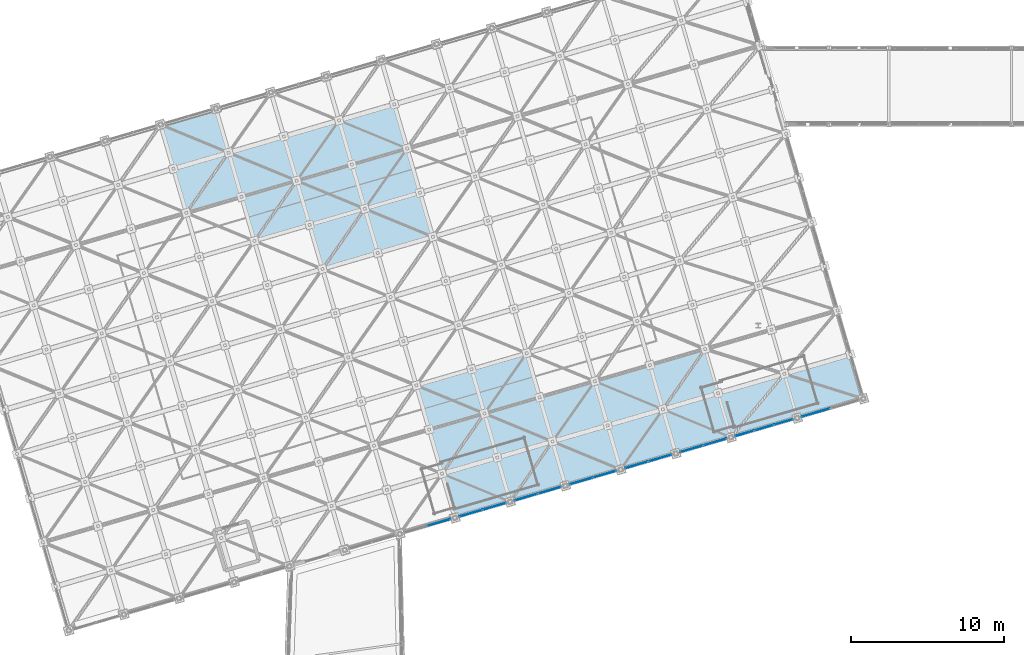
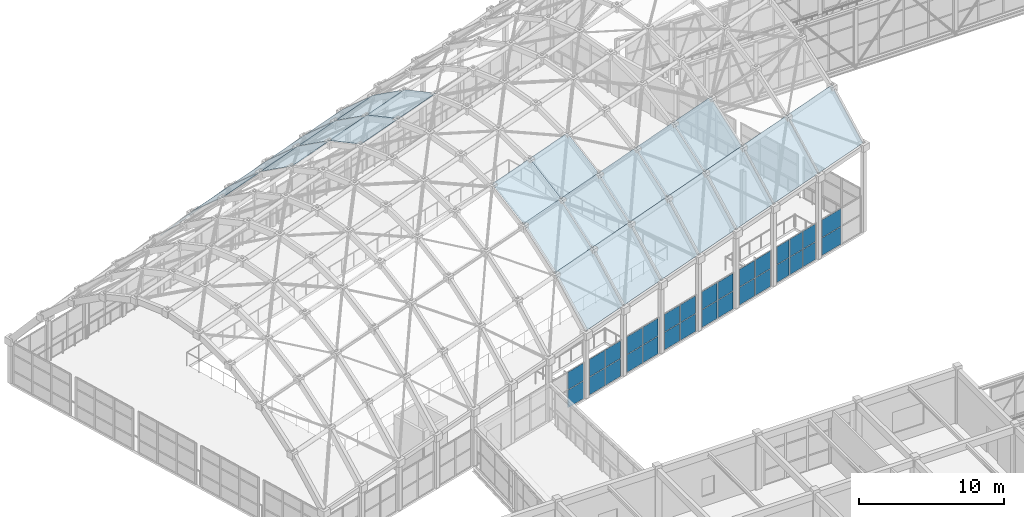
# One storey, part 202 of 248: 54 plates, 8 elements without a shape of their own.
"""IFC4 building model written with IfcOpenShell, lengths in metres."""

from ifc_helpers import new_model, si_unit, direction, frame, origin, origin_2d, place, context, subcontext, project, spatial, polyline, rectangle, outline, extrude, material, layer, layer_set, type_object, element, aggregate, save


model = new_model("IFC4")

# Units and contexts
model_context = context("Model", 3, precision=1e-05, world=origin(), true_north=direction((0.0, 1.0)))
body_context = subcontext(model_context, "Body", "Model", "MODEL_VIEW")
ifc_project = project(units=[si_unit("LENGTHUNIT", "METRE"), si_unit("AREAUNIT", "SQUARE_METRE"), si_unit("VOLUMEUNIT", "CUBIC_METRE"), si_unit("PLANEANGLEUNIT", "RADIAN"), si_unit("MASSUNIT", "GRAM", prefix="KILO")], contexts=[model_context])

# Site, building, storey
site_placement = place(None, origin())
site = spatial("IfcSite", under=ifc_project, at=site_placement, CompositionType="ELEMENT")
building_placement = place(site_placement, origin())
building = spatial("IfcBuilding", under=site, at=building_placement, Name="Canggui Botanical Conservatory", CompositionType="ELEMENT")
storey_placement = place(building_placement, frame((0.0, 0.0, 5.39990234375)))
storey = spatial("IfcBuildingStorey", under=building, at=storey_placement, Name="L02", CompositionType="ELEMENT", Elevation=5.39990234375)

# Curtain wall, plates
ifc_material_1 = material(Name="Thermally Broken Aluminium", Category="aluminium")
ifc_layer_1 = layer(ifc_material_1, 0.135009765625, Name="Thermally Broken Aluminium", Category="aluminium")
ifc_layer_set_1 = layer_set([ifc_layer_1], Name="Thermally Broken Aluminium")
curtain_wall_type = type_object("IfcCurtainWallType", Name="CW-STICK-A", PredefinedType="USERDEFINED", material=ifc_layer_set_1)
curtain_wall_1_placement = place(storey_placement, origin())
curtain_wall_1 = element("IfcCurtainWall", 1, at=curtain_wall_1_placement, inside=storey, type_object=curtain_wall_type, Name="Facade Curtain Wall CW-CONS-L02-V0-07", ObjectType="STICK GLAZED WALL", PredefinedType="USERDEFINED")
ifc_material_2 = material(Name="Low-E Insulated Glass", Category="glass")
ifc_layer_2 = layer(ifc_material_2, 0.0380859375, Name="Low-E Insulated Glass", Category="glass")
ifc_layer_set_2 = layer_set([ifc_layer_2], Name="Low-E Insulated Glass")
plate_type_1 = type_object("IfcPlateType", Name="CWP-04", PredefinedType="CURTAIN_PANEL", material=ifc_layer_set_2)
plate_1_placement = place(storey_placement, frame((44.16552734375, 49.04833984375, 0.050048828125), z_axis=(0.0, 0.0, 1.0), x_axis=(-0.960000000002, -0.279999999995, 0.0)))
plate_1 = element("IfcPlate", 2, at=plate_1_placement, type_object=plate_type_1, Name="CW-04 panel 1.1", PredefinedType="CURTAIN_PANEL", context=body_context, shape_type="SweptSolid", body=[
    extrude(rectangle(XDim=1.534912109375, YDim=0.0380859375, at=origin_2d()), origin(), (0.0, 0.0, 1.0), 1.47509765625),
])
plate_2_placement = place(storey_placement, frame((44.16552734375, 49.04833984375, 1.574951171875), z_axis=(0.0, 0.0, 1.0), x_axis=(-0.960000000002, -0.279999999995, 0.0)))
plate_2 = element("IfcPlate", 3, at=plate_2_placement, type_object=plate_type_1, Name="CW-04 panel 1.2", PredefinedType="CURTAIN_PANEL", context=body_context, shape_type="SweptSolid", body=[
    extrude(rectangle(XDim=1.534912109375, YDim=0.0380859375, at=origin_2d()), origin(), (0.0, 0.0, 1.0), 1.47509765625),
])
aggregate(curtain_wall_1, [plate_1, plate_2])

curtain_wall_2_placement = place(storey_placement, origin())
curtain_wall_2 = element("IfcCurtainWall", 4, at=curtain_wall_2_placement, inside=storey, type_object=curtain_wall_type, Name="Facade Curtain Wall CW-CONS-L02-V0-08", ObjectType="STICK GLAZED WALL", PredefinedType="USERDEFINED")
plate_3_placement = place(storey_placement, frame((47.765625, 50.098388671875, 0.050048828125), z_axis=(0.0, 0.0, 1.0), x_axis=(-0.960000000002, -0.279999999995, 0.0)))
plate_3 = element("IfcPlate", 5, at=plate_3_placement, type_object=plate_type_1, Name="CW-04 panel 1.1", PredefinedType="CURTAIN_PANEL", context=body_context, shape_type="SweptSolid", body=[
    extrude(rectangle(XDim=1.534912109375, YDim=0.0380859375, at=origin_2d()), origin(), (0.0, 0.0, 1.0), 1.47509765625),
])
plate_4_placement = place(storey_placement, frame((47.765625, 50.098388671875, 1.574951171875), z_axis=(0.0, 0.0, 1.0), x_axis=(-0.960000000002, -0.279999999995, 0.0)))
plate_4 = element("IfcPlate", 6, at=plate_4_placement, type_object=plate_type_1, Name="CW-04 panel 1.2", PredefinedType="CURTAIN_PANEL", context=body_context, shape_type="SweptSolid", body=[
    extrude(rectangle(XDim=1.534912109375, YDim=0.0380859375, at=origin_2d()), origin(), (0.0, 0.0, 1.0), 1.47509765625),
])
plate_5_placement = place(storey_placement, frame((46.234375, 49.651611328125, 0.050048828125), z_axis=(0.0, 0.0, 1.0), x_axis=(-0.960000000002, -0.279999999995, 0.0)))
plate_5 = element("IfcPlate", 7, at=plate_5_placement, type_object=plate_type_1, Name="CW-04 panel 2.1", PredefinedType="CURTAIN_PANEL", context=body_context, shape_type="SweptSolid", body=[
    extrude(rectangle(XDim=1.534912109375, YDim=0.0380859375, at=origin_2d()), origin(), (0.0, 0.0, 1.0), 1.47509765625),
])
plate_6_placement = place(storey_placement, frame((46.234375, 49.651611328125, 1.574951171875), z_axis=(0.0, 0.0, 1.0), x_axis=(-0.960000000002, -0.279999999995, 0.0)))
plate_6 = element("IfcPlate", 8, at=plate_6_placement, type_object=plate_type_1, Name="CW-04 panel 2.2", PredefinedType="CURTAIN_PANEL", context=body_context, shape_type="SweptSolid", body=[
    extrude(rectangle(XDim=1.534912109375, YDim=0.0380859375, at=origin_2d()), origin(), (0.0, 0.0, 1.0), 1.47509765625),
])
aggregate(curtain_wall_2, [plate_3, plate_4, plate_5, plate_6])

curtain_wall_3_placement = place(storey_placement, origin())
curtain_wall_3 = element("IfcCurtainWall", 9, at=curtain_wall_3_placement, inside=storey, type_object=curtain_wall_type, Name="Facade Curtain Wall CW-CONS-L02-V0-09", ObjectType="STICK GLAZED WALL", PredefinedType="USERDEFINED")
plate_7_placement = place(storey_placement, frame((51.365478515625, 51.148193359375, 0.050048828125), z_axis=(0.0, 0.0, 1.0), x_axis=(-0.960000000002, -0.279999999995, 0.0)))
plate_7 = element("IfcPlate", 10, at=plate_7_placement, type_object=plate_type_1, Name="CW-04 panel 1.1", PredefinedType="CURTAIN_PANEL", context=body_context, shape_type="SweptSolid", body=[
    extrude(rectangle(XDim=1.534912109375, YDim=0.0380859375, at=origin_2d()), origin(), (0.0, 0.0, 1.0), 1.47509765625),
])
plate_8_placement = place(storey_placement, frame((51.365478515625, 51.148193359375, 1.574951171875), z_axis=(0.0, 0.0, 1.0), x_axis=(-0.960000000002, -0.279999999995, 0.0)))
plate_8 = element("IfcPlate", 11, at=plate_8_placement, type_object=plate_type_1, Name="CW-04 panel 1.2", PredefinedType="CURTAIN_PANEL", context=body_context, shape_type="SweptSolid", body=[
    extrude(rectangle(XDim=1.534912109375, YDim=0.0380859375, at=origin_2d()), origin(), (0.0, 0.0, 1.0), 1.47509765625),
])
plate_9_placement = place(storey_placement, frame((49.83447265625, 50.70166015625, 0.050048828125), z_axis=(0.0, 0.0, 1.0), x_axis=(-0.960000000002, -0.279999999995, 0.0)))
plate_9 = element("IfcPlate", 12, at=plate_9_placement, type_object=plate_type_1, Name="CW-04 panel 2.1", PredefinedType="CURTAIN_PANEL", context=body_context, shape_type="SweptSolid", body=[
    extrude(rectangle(XDim=1.534912109375, YDim=0.0380859375, at=origin_2d()), origin(), (0.0, 0.0, 1.0), 1.47509765625),
])
plate_10_placement = place(storey_placement, frame((49.83447265625, 50.70166015625, 1.574951171875), z_axis=(0.0, 0.0, 1.0), x_axis=(-0.960000000002, -0.279999999995, 0.0)))
plate_10 = element("IfcPlate", 13, at=plate_10_placement, type_object=plate_type_1, Name="CW-04 panel 2.2", PredefinedType="CURTAIN_PANEL", context=body_context, shape_type="SweptSolid", body=[
    extrude(rectangle(XDim=1.534912109375, YDim=0.0380859375, at=origin_2d()), origin(), (0.0, 0.0, 1.0), 1.47509765625),
])
aggregate(curtain_wall_3, [plate_7, plate_8, plate_9, plate_10])

curtain_wall_4_placement = place(storey_placement, origin())
curtain_wall_4 = element("IfcCurtainWall", 14, at=curtain_wall_4_placement, inside=storey, type_object=curtain_wall_type, Name="Facade Curtain Wall CW-CONS-L02-V0-10", ObjectType="STICK GLAZED WALL", PredefinedType="USERDEFINED")
plate_11_placement = place(storey_placement, frame((54.965576171875, 52.1982421875, 0.050048828125), z_axis=(0.0, 0.0, 1.0), x_axis=(-0.960000000002, -0.279999999995, 0.0)))
plate_11 = element("IfcPlate", 15, at=plate_11_placement, type_object=plate_type_1, Name="CW-04 panel 1.1", PredefinedType="CURTAIN_PANEL", context=body_context, shape_type="SweptSolid", body=[
    extrude(rectangle(XDim=1.534912109375, YDim=0.0380859375, at=origin_2d()), origin(), (0.0, 0.0, 1.0), 1.47509765625),
])
plate_12_placement = place(storey_placement, frame((54.965576171875, 52.1982421875, 1.574951171875), z_axis=(0.0, 0.0, 1.0), x_axis=(-0.960000000002, -0.279999999995, 0.0)))
plate_12 = element("IfcPlate", 16, at=plate_12_placement, type_object=plate_type_1, Name="CW-04 panel 1.2", PredefinedType="CURTAIN_PANEL", context=body_context, shape_type="SweptSolid", body=[
    extrude(rectangle(XDim=1.534912109375, YDim=0.0380859375, at=origin_2d()), origin(), (0.0, 0.0, 1.0), 1.47509765625),
])
plate_13_placement = place(storey_placement, frame((53.434326171875, 51.751708984375, 0.050048828125), z_axis=(0.0, 0.0, 1.0), x_axis=(-0.960000000002, -0.279999999995, 0.0)))
plate_13 = element("IfcPlate", 17, at=plate_13_placement, type_object=plate_type_1, Name="CW-04 panel 2.1", PredefinedType="CURTAIN_PANEL", context=body_context, shape_type="SweptSolid", body=[
    extrude(rectangle(XDim=1.534912109375, YDim=0.0380859375, at=origin_2d()), origin(), (0.0, 0.0, 1.0), 1.47509765625),
])
plate_14_placement = place(storey_placement, frame((53.434326171875, 51.751708984375, 1.574951171875), z_axis=(0.0, 0.0, 1.0), x_axis=(-0.960000000002, -0.279999999995, 0.0)))
plate_14 = element("IfcPlate", 18, at=plate_14_placement, type_object=plate_type_1, Name="CW-04 panel 2.2", PredefinedType="CURTAIN_PANEL", context=body_context, shape_type="SweptSolid", body=[
    extrude(rectangle(XDim=1.534912109375, YDim=0.0380859375, at=origin_2d()), origin(), (0.0, 0.0, 1.0), 1.47509765625),
])
aggregate(curtain_wall_4, [plate_11, plate_12, plate_13, plate_14])

curtain_wall_5_placement = place(storey_placement, origin())
curtain_wall_5 = element("IfcCurtainWall", 19, at=curtain_wall_5_placement, inside=storey, type_object=curtain_wall_type, Name="Facade Curtain Wall CW-CONS-L02-V0-11", ObjectType="STICK GLAZED WALL", PredefinedType="USERDEFINED")
plate_15_placement = place(storey_placement, frame((58.565673828125, 53.248291015625, 0.050048828125), z_axis=(0.0, 0.0, 1.0), x_axis=(-0.960000000002, -0.279999999995, 0.0)))
plate_15 = element("IfcPlate", 20, at=plate_15_placement, type_object=plate_type_1, Name="CW-04 panel 1.1", PredefinedType="CURTAIN_PANEL", context=body_context, shape_type="SweptSolid", body=[
    extrude(rectangle(XDim=1.534912109375, YDim=0.0380859375, at=origin_2d()), origin(), (0.0, 0.0, 1.0), 1.47509765625),
])
plate_16_placement = place(storey_placement, frame((58.565673828125, 53.248291015625, 1.574951171875), z_axis=(0.0, 0.0, 1.0), x_axis=(-0.960000000002, -0.279999999995, 0.0)))
plate_16 = element("IfcPlate", 21, at=plate_16_placement, type_object=plate_type_1, Name="CW-04 panel 1.2", PredefinedType="CURTAIN_PANEL", context=body_context, shape_type="SweptSolid", body=[
    extrude(rectangle(XDim=1.534912109375, YDim=0.0380859375, at=origin_2d()), origin(), (0.0, 0.0, 1.0), 1.47509765625),
])
plate_17_placement = place(storey_placement, frame((57.034423828125, 52.8017578125, 0.050048828125), z_axis=(0.0, 0.0, 1.0), x_axis=(-0.960000000002, -0.279999999995, 0.0)))
plate_17 = element("IfcPlate", 22, at=plate_17_placement, type_object=plate_type_1, Name="CW-04 panel 2.1", PredefinedType="CURTAIN_PANEL", context=body_context, shape_type="SweptSolid", body=[
    extrude(rectangle(XDim=1.534912109375, YDim=0.0380859375, at=origin_2d()), origin(), (0.0, 0.0, 1.0), 1.47509765625),
])
plate_18_placement = place(storey_placement, frame((57.034423828125, 52.8017578125, 1.574951171875), z_axis=(0.0, 0.0, 1.0), x_axis=(-0.960000000002, -0.279999999995, 0.0)))
plate_18 = element("IfcPlate", 23, at=plate_18_placement, type_object=plate_type_1, Name="CW-04 panel 2.2", PredefinedType="CURTAIN_PANEL", context=body_context, shape_type="SweptSolid", body=[
    extrude(rectangle(XDim=1.534912109375, YDim=0.0380859375, at=origin_2d()), origin(), (0.0, 0.0, 1.0), 1.47509765625),
])
aggregate(curtain_wall_5, [plate_15, plate_16, plate_17, plate_18])

curtain_wall_6_placement = place(storey_placement, origin())
curtain_wall_6 = element("IfcCurtainWall", 24, at=curtain_wall_6_placement, inside=storey, type_object=curtain_wall_type, Name="Facade Curtain Wall CW-CONS-L02-V0-12", ObjectType="STICK GLAZED WALL", PredefinedType="USERDEFINED")
plate_19_placement = place(storey_placement, frame((62.16552734375, 54.29833984375, 0.050048828125), z_axis=(0.0, 0.0, 1.0), x_axis=(-0.960000000002, -0.279999999995, 0.0)))
plate_19 = element("IfcPlate", 25, at=plate_19_placement, type_object=plate_type_1, Name="CW-04 panel 1.1", PredefinedType="CURTAIN_PANEL", context=body_context, shape_type="SweptSolid", body=[
    extrude(rectangle(XDim=1.534912109375, YDim=0.0380859375, at=origin_2d()), origin(), (0.0, 0.0, 1.0), 1.47509765625),
])
plate_20_placement = place(storey_placement, frame((62.16552734375, 54.29833984375, 1.574951171875), z_axis=(0.0, 0.0, 1.0), x_axis=(-0.960000000002, -0.279999999995, 0.0)))
plate_20 = element("IfcPlate", 26, at=plate_20_placement, type_object=plate_type_1, Name="CW-04 panel 1.2", PredefinedType="CURTAIN_PANEL", context=body_context, shape_type="SweptSolid", body=[
    extrude(rectangle(XDim=1.534912109375, YDim=0.0380859375, at=origin_2d()), origin(), (0.0, 0.0, 1.0), 1.47509765625),
])
plate_21_placement = place(storey_placement, frame((60.634521484375, 53.851806640625, 0.050048828125), z_axis=(0.0, 0.0, 1.0), x_axis=(-0.960000000002, -0.279999999995, 0.0)))
plate_21 = element("IfcPlate", 27, at=plate_21_placement, type_object=plate_type_1, Name="CW-04 panel 2.1", PredefinedType="CURTAIN_PANEL", context=body_context, shape_type="SweptSolid", body=[
    extrude(rectangle(XDim=1.534912109375, YDim=0.0380859375, at=origin_2d()), origin(), (0.0, 0.0, 1.0), 1.47509765625),
])
plate_22_placement = place(storey_placement, frame((60.634521484375, 53.851806640625, 1.574951171875), z_axis=(0.0, 0.0, 1.0), x_axis=(-0.960000000002, -0.279999999995, 0.0)))
plate_22 = element("IfcPlate", 28, at=plate_22_placement, type_object=plate_type_1, Name="CW-04 panel 2.2", PredefinedType="CURTAIN_PANEL", context=body_context, shape_type="SweptSolid", body=[
    extrude(rectangle(XDim=1.534912109375, YDim=0.0380859375, at=origin_2d()), origin(), (0.0, 0.0, 1.0), 1.47509765625),
])
aggregate(curtain_wall_6, [plate_19, plate_20, plate_21, plate_22])

curtain_wall_7_placement = place(storey_placement, origin())
curtain_wall_7 = element("IfcCurtainWall", 29, at=curtain_wall_7_placement, inside=storey, type_object=curtain_wall_type, Name="Facade Curtain Wall CW-CONS-L02-V0-13", ObjectType="STICK GLAZED WALL", PredefinedType="USERDEFINED")
plate_23_placement = place(storey_placement, frame((66.62548828125, 55.59912109375, 0.050048828125), z_axis=(0.0, 0.0, 1.0), x_axis=(-0.960000000002, -0.279999999995, 0.0)))
plate_23 = element("IfcPlate", 30, at=plate_23_placement, type_object=plate_type_1, Name="CW-04 panel 1.1", PredefinedType="CURTAIN_PANEL", context=body_context, shape_type="SweptSolid", body=[
    extrude(rectangle(XDim=1.243408203125, YDim=0.0380859375, at=origin_2d()), origin(), (0.0, 0.0, 1.0), 1.47509765625),
])
plate_24_placement = place(storey_placement, frame((66.62548828125, 55.59912109375, 1.574951171875), z_axis=(0.0, 0.0, 1.0), x_axis=(-0.960000000002, -0.279999999995, 0.0)))
plate_24 = element("IfcPlate", 31, at=plate_24_placement, type_object=plate_type_1, Name="CW-04 panel 1.2", PredefinedType="CURTAIN_PANEL", context=body_context, shape_type="SweptSolid", body=[
    extrude(rectangle(XDim=1.243408203125, YDim=0.0380859375, at=origin_2d()), origin(), (0.0, 0.0, 1.0), 1.47509765625),
])
plate_25_placement = place(storey_placement, frame((65.360107421875, 55.22998046875, 0.050048828125), z_axis=(0.0, 0.0, 1.0), x_axis=(-0.960000000002, -0.279999999995, 0.0)))
plate_25 = element("IfcPlate", 32, at=plate_25_placement, type_object=plate_type_1, Name="CW-04 panel 2.1", PredefinedType="CURTAIN_PANEL", context=body_context, shape_type="SweptSolid", body=[
    extrude(rectangle(XDim=1.2734375, YDim=0.0380859375, at=origin_2d()), origin(), (0.0, 0.0, 1.0), 1.47509765625),
])
plate_26_placement = place(storey_placement, frame((65.360107421875, 55.22998046875, 1.574951171875), z_axis=(0.0, 0.0, 1.0), x_axis=(-0.960000000002, -0.279999999995, 0.0)))
plate_26 = element("IfcPlate", 33, at=plate_26_placement, type_object=plate_type_1, Name="CW-04 panel 2.2", PredefinedType="CURTAIN_PANEL", context=body_context, shape_type="SweptSolid", body=[
    extrude(rectangle(XDim=1.2734375, YDim=0.0380859375, at=origin_2d()), origin(), (0.0, 0.0, 1.0), 1.47509765625),
])
plate_27_placement = place(storey_placement, frame((64.094482421875, 54.86083984375, 0.050048828125), z_axis=(0.0, 0.0, 1.0), x_axis=(-0.960000000002, -0.279999999995, 0.0)))
plate_27 = element("IfcPlate", 34, at=plate_27_placement, type_object=plate_type_1, Name="CW-04 panel 3.1", PredefinedType="CURTAIN_PANEL", context=body_context, shape_type="SweptSolid", body=[
    extrude(rectangle(XDim=1.243408203125, YDim=0.0380859375, at=origin_2d()), origin(), (0.0, 0.0, 1.0), 1.47509765625),
])
plate_28_placement = place(storey_placement, frame((64.094482421875, 54.86083984375, 1.574951171875), z_axis=(0.0, 0.0, 1.0), x_axis=(-0.960000000002, -0.279999999995, 0.0)))
plate_28 = element("IfcPlate", 35, at=plate_28_placement, type_object=plate_type_1, Name="CW-04 panel 3.2", PredefinedType="CURTAIN_PANEL", context=body_context, shape_type="SweptSolid", body=[
    extrude(rectangle(XDim=1.243408203125, YDim=0.0380859375, at=origin_2d()), origin(), (0.0, 0.0, 1.0), 1.47509765625),
])
aggregate(curtain_wall_7, [plate_23, plate_24, plate_25, plate_26, plate_27, plate_28])

curtain_wall_8_placement = place(storey_placement, origin())
curtain_wall_8 = element("IfcCurtainWall", 36, at=curtain_wall_8_placement, inside=storey, type_object=curtain_wall_type, Name="Facade Curtain Wall CW-CONS-L02-V0-14", ObjectType="STICK GLAZED WALL", PredefinedType="USERDEFINED")
plate_29_placement = place(storey_placement, frame((68.734375, 56.214111328125, 0.050048828125), z_axis=(0.0, 0.0, 1.0), x_axis=(-0.960000000002, -0.279999999995, 0.0)))
plate_29 = element("IfcPlate", 37, at=plate_29_placement, type_object=plate_type_1, Name="CW-04 panel 2.1", PredefinedType="CURTAIN_PANEL", context=body_context, shape_type="SweptSolid", body=[
    extrude(rectangle(XDim=1.909912109375, YDim=0.0380859375, at=origin_2d()), origin(), (0.0, 0.0, 1.0), 1.47509765625),
])
plate_30_placement = place(storey_placement, frame((68.734375, 56.214111328125, 1.574951171875), z_axis=(0.0, 0.0, 1.0), x_axis=(-0.960000000002, -0.279999999995, 0.0)))
plate_30 = element("IfcPlate", 38, at=plate_30_placement, type_object=plate_type_1, Name="CW-04 panel 2.2", PredefinedType="CURTAIN_PANEL", context=body_context, shape_type="SweptSolid", body=[
    extrude(rectangle(XDim=1.909912109375, YDim=0.0380859375, at=origin_2d()), origin(), (0.0, 0.0, 1.0), 1.47509765625),
])
aggregate(curtain_wall_8, [plate_29, plate_30])

# Plates
ifc_layer_3 = layer(ifc_material_2, 0.028076171875, Name="Low-E Insulated Glass", Category="glass")
ifc_layer_set_3 = layer_set([ifc_layer_3], Name="Low-E Insulated Glass")
plate_type_2 = type_object("IfcPlateType", Name="PLT-GS-GLAZ-28", PredefinedType="SHEET", material=ifc_layer_set_3)
plate_31_placement = place(storey_placement, frame((36.56005859375, 65.580078125, 14.5810546875), z_axis=(-0.159796453637, 0.326047322718, 0.931750093509), x_axis=(0.957883580986, 0.279344121408, 0.066527491404)))
element("IfcPlate", 39, at=plate_31_placement, inside=storey, type_object=plate_type_2, Name="Conservatory Stepped-Arch Roof Glazing Panel 7-7", PredefinedType="SHEET", context=body_context, shape_type="SweptSolid", body=[
    extrude(outline(polyline([(0.0, 0.0), (3.758129217502079, -1.3877787807814457e-16), (3.6815731572518837, 3.212690302635402), (-0.0768581177947249, 3.2125280586967877), (0.0, 0.0)])), origin(), (0.0, 0.0, -1.0), 0.028076171875),
])
plate_32_placement = place(storey_placement, frame((40.159912109375, 66.6298828125, 14.8310546875), z_axis=(-0.159803580988, 0.32603294783, 0.931753901217), x_axis=(0.957871588463, 0.279386560593, 0.066521949571)))
element("IfcPlate", 40, at=plate_32_placement, inside=storey, type_object=plate_type_2, Name="Conservatory Stepped-Arch Roof Glazing Panel 8-7", PredefinedType="SHEET", context=body_context, shape_type="SweptSolid", body=[
    extrude(outline(polyline([(0.0, 0.0), (3.7584312785526484, 1.3877787807814457e-16), (3.681780048409405, 3.2127518639817385), (-0.07641737477496584, 3.2126936044186367), (0.0, 0.0)])), origin(), (0.0, 0.0, -1.0), 0.028076171875),
])
ifc_layer_4 = layer(ifc_material_2, 0.031982421875, Name="Low-E Insulated Glass", Category="glass")
ifc_layer_set_4 = layer_set([ifc_layer_4], Name="Low-E Insulated Glass")
plate_type_3 = type_object("IfcPlateType", Name="PLT-GS-GLAZ-32", PredefinedType="SHEET", material=ifc_layer_set_4)
plate_33_placement = place(storey_placement, frame((27.679931640625, 69.239990234375, 11.009033203125), z_axis=(-0.234215481946, 0.625953603967, 0.743858315607), x_axis=(0.957875397942, 0.279376904226, 0.066507649199)))
element("IfcPlate", 41, at=plate_33_placement, inside=storey, type_object=plate_type_3, Name="Conservatory Stepped-Arch Roof Glazing Panel 5-9", PredefinedType="SHEET", context=body_context, shape_type="SweptSolid", body=[
    extrude(outline(polyline([(0.0, 0.0), (3.7584312782990614, 2.7755575615628914e-17), (3.5795327187888293, 4.0240214936010785), (-0.17859649595989782, 4.024158679775516), (0.0, 0.0)])), origin(), (0.0, 0.0, -1.0), 0.031982421875),
])
plate_34_placement = place(storey_placement, frame((26.840087890625, 72.1201171875, 8.321044921875), z_axis=(-0.253149351755, 0.712056369191, 0.654897803325), x_axis=(0.957880670535, 0.279352974704, 0.066532221811)))
element("IfcPlate", 42, at=plate_34_placement, inside=storey, type_object=plate_type_3, Name="Conservatory Stepped-Arch Roof Glazing Panel 5-10", PredefinedType="SHEET", context=body_context, shape_type="SweptSolid", body=[
    extrude(outline(polyline([(0.0, 0.0), (3.758129217139364, -1.1102230246251565e-16), (3.528292157565924, 4.5707721138151705), (-0.23013911856886002, 4.570647947902423), (0.0, 0.0)])), origin(), (0.0, 0.0, -1.0), 0.031982421875),
])
plate_35_placement = place(storey_placement, frame((32.1201171875, 67.409912109375, 13.17919921875), z_axis=(-0.204535290087, 0.500988862711, 0.840937259579), x_axis=(0.957867059601, 0.279402253194, 0.066521252562)))
element("IfcPlate", 43, at=plate_35_placement, inside=storey, type_object=plate_type_3, Name="Conservatory Stepped-Arch Roof Glazing Panel 6-8", PredefinedType="SHEET", context=body_context, shape_type="SweptSolid", body=[
    extrude(outline(polyline([(0.0, 0.0), (3.758197423686568, 1.6653345369377348e-16), (3.630487017787854, 3.5597200044214476), (-0.12771040589871432, 3.5597200044214476), (0.0, 0.0)])), origin(), (0.0, 0.0, -1.0), 0.031982421875),
])
plate_36_placement = place(storey_placement, frame((31.280029296875, 70.2900390625, 11.259033203125), z_axis=(-0.23423796207, 0.625961091657, 0.74384493603), x_axis=(0.957868841781, 0.279397490701, 0.066515593167)))
element("IfcPlate", 44, at=plate_36_placement, inside=storey, type_object=plate_type_3, Name="Conservatory Stepped-Arch Roof Glazing Panel 6-9", PredefinedType="SHEET", context=body_context, shape_type="SweptSolid", body=[
    extrude(outline(polyline([(0.0, 0.0), (3.758197423577794, 1.1102230246251565e-16), (3.5795761598587448, 4.023982850561634), (-0.1788551184167501, 4.024023424837827), (0.0, 0.0)])), origin(), (0.0, 0.0, -1.0), 0.031982421875),
])
plate_37_placement = place(storey_placement, frame((35.719970703125, 68.4599609375, 13.42919921875), z_axis=(-0.204510654539, 0.501012062835, 0.840929429307), x_axis=(0.95787574588, 0.279376715758, 0.066503429584)))
element("IfcPlate", 45, at=plate_37_placement, inside=storey, type_object=plate_type_3, Name="Conservatory Stepped-Arch Roof Glazing Panel 7-8", PredefinedType="SHEET", context=body_context, shape_type="SweptSolid", body=[
    extrude(outline(polyline([(0.0, 0.0), (3.7584312781056726, -8.326672684688674e-17), (3.630606039782273, 3.5595183536506787), (-0.12775703111740433, 3.559718330839215), (0.0, 0.0)])), origin(), (0.0, 0.0, -1.0), 0.031982421875),
])
plate_38_placement = place(storey_placement, frame((34.8798828125, 71.340087890625, 11.509033203125), z_axis=(-0.234215481946, 0.625953603967, 0.743858315607), x_axis=(0.957883256961, 0.279342467, 0.066539102514)))
element("IfcPlate", 46, at=plate_38_placement, inside=storey, type_object=plate_type_3, Name="Conservatory Stepped-Arch Roof Glazing Panel 7-9", PredefinedType="SHEET", context=body_context, shape_type="SweptSolid", body=[
    extrude(outline(polyline([(0.0, 0.0), (3.758363075250778, 1.3877787807814457e-16), (3.5793423910025632, 4.024190789937184), (-0.17885502487566546, 4.023972466026054), (0.0, 0.0)])), origin(), (0.0, 0.0, -1.0), 0.031982421875),
])
plate_39_placement = place(storey_placement, frame((45.199951171875, 49.35009765625, 5.614990234375), z_axis=(0.169321110294, -0.736504950111, 0.654897564563), x_axis=(0.95788481893, 0.279346647774, 0.066499052927)))
element("IfcPlate", 47, at=plate_39_placement, inside=storey, type_object=plate_type_3, Name="Conservatory Stepped-Arch Roof Glazing Panel 8-1", PredefinedType="SHEET", context=body_context, shape_type="SweptSolid", body=[
    extrude(outline(polyline([(0.0, 0.0), (3.758363075090937, 2.220446049250313e-16), (3.988033811195505, 4.570825338364294), (0.22983639483776006, 4.570618312714262), (0.0, 0.0)])), origin(), (0.0, 0.0, -1.0), 0.031982421875),
])
plate_40_placement = place(storey_placement, frame((44.360107421875, 52.22998046875, 9.071044921875), z_axis=(0.139000134515, -0.653723315897, 0.743858043485), x_axis=(0.957870638965, 0.279385420882, 0.066540405824)))
element("IfcPlate", 48, at=plate_40_placement, inside=storey, type_object=plate_type_3, Name="Conservatory Stepped-Arch Roof Glazing Panel 8-2", PredefinedType="SHEET", context=body_context, shape_type="SweptSolid", body=[
    extrude(outline(polyline([(0.0, 0.0), (3.758197422440752, 8.326672684688674e-17), (3.9371928557433042, 4.023966222991576), (0.17882978749735595, 4.024199277864952), (0.0, 0.0)])), origin(), (0.0, 0.0, -1.0), 0.031982421875),
])
plate_41_placement = place(storey_placement, frame((43.52001953125, 55.110107421875, 11.759033203125), z_axis=(0.096874344437, -0.532407400901, 0.840926703616), x_axis=(0.95788812505, 0.279334185652, 0.066503778946)))
element("IfcPlate", 49, at=plate_41_placement, inside=storey, type_object=plate_type_3, Name="Conservatory Stepped-Arch Roof Glazing Panel 8-3", PredefinedType="SHEET", context=body_context, shape_type="SweptSolid", body=[
    extrude(outline(polyline([(0.0, 0.0), (3.7583630761556117, 1.6653345369377348e-16), (3.8858690749967155, 3.5597273313680553), (0.1274378020184354, 3.5595322456274676), (0.0, 0.0)])), origin(), (0.0, 0.0, -1.0), 0.031982421875),
])
plate_42_placement = place(storey_placement, frame((39.320068359375, 69.510009765625, 13.67919921875), z_axis=(-0.20453731715, 0.501024805653, 0.840915352466), x_axis=(0.957868418484, 0.279398924595, 0.066515665864)))
element("IfcPlate", 50, at=plate_42_placement, inside=storey, type_object=plate_type_3, Name="Conservatory Stepped-Arch Roof Glazing Panel 8-8", PredefinedType="SHEET", context=body_context, shape_type="SweptSolid", body=[
    extrude(outline(polyline([(0.0, 0.0), (3.7581974236036295, 2.7755575615628914e-17), (3.630652658689854, 3.5594708030868656), (-0.12777861950813207, 3.559520027902928), (0.0, 0.0)])), origin(), (0.0, 0.0, -1.0), 0.031982421875),
])
plate_43_placement = place(storey_placement, frame((38.47998046875, 72.389892578125, 11.759033203125), z_axis=(-0.234223239005, 0.625930639517, 0.743875197075), x_axis=(0.957872417874, 0.27938486839, 0.066517113516)))
element("IfcPlate", 51, at=plate_43_placement, inside=storey, type_object=plate_type_3, Name="Conservatory Stepped-Arch Roof Glazing Panel 8-9", PredefinedType="SHEET", context=body_context, shape_type="SweptSolid", body=[
    extrude(outline(polyline([(0.0, 0.0), (3.7584312786032728, 8.326672684688674e-17), (3.5796009276954828, 4.024199253991208), (-0.17883035090778976, 4.024199253991207), (0.0, 0.0)])), origin(), (0.0, 0.0, -1.0), 0.031982421875),
])
plate_44_placement = place(storey_placement, frame((48.800048828125, 50.39990234375, 5.864990234375), z_axis=(0.169339740779, -0.736486890877, 0.654913056642), x_axis=(0.957867991041, 0.279398202271, 0.066524854806)))
element("IfcPlate", 52, at=plate_44_placement, inside=storey, type_object=plate_type_3, Name="Conservatory Stepped-Arch Roof Glazing Panel 9-1", PredefinedType="SHEET", context=body_context, shape_type="SweptSolid", body=[
    extrude(outline(polyline([(0.0, 0.0), (3.758197423629719, 2.7755575615628914e-17), (3.988353807333971, 4.570756046009758), (0.22992252921425219, 4.570812680827666), (0.0, 0.0)])), origin(), (0.0, 0.0, -1.0), 0.031982421875),
])
plate_45_placement = place(storey_placement, frame((47.9599609375, 53.280029296875, 9.321044921875), z_axis=(0.13902569394, -0.653731993878, 0.743845640308), x_axis=(0.957871790124, 0.27938782027, 0.066513754738)))
element("IfcPlate", 53, at=plate_45_placement, inside=storey, type_object=plate_type_3, Name="Conservatory Stepped-Arch Roof Glazing Panel 9-2", PredefinedType="SHEET", context=body_context, shape_type="SweptSolid", body=[
    extrude(outline(polyline([(0.0, 0.0), (3.758431278564957, 0.0), (3.9371271618050607, 4.024030499246996), (0.1789297386576144, 4.023969145833528), (0.0, 0.0)])), origin(), (0.0, 0.0, -1.0), 0.031982421875),
])
plate_46_placement = place(storey_placement, frame((47.1201171875, 56.159912109375, 12.009033203125), z_axis=(0.096892229581, -0.532386898682, 0.840937623108), x_axis=(0.957867059601, 0.279402253194, 0.066521252562)))
element("IfcPlate", 54, at=plate_46_placement, inside=storey, type_object=plate_type_3, Name="Conservatory Stepped-Arch Roof Glazing Panel 9-3", PredefinedType="SHEET", context=body_context, shape_type="SweptSolid", body=[
    extrude(outline(polyline([(0.0, 0.0), (3.758197423686568, 5.551115123125783e-17), (3.885950714761685, 3.559718465591418), (0.12775329107511724, 3.559718465591418), (0.0, 0.0)])), origin(), (0.0, 0.0, -1.0), 0.031982421875),
])
plate_47_placement = place(storey_placement, frame((52.39990234375, 51.449951171875, 6.114990234375), z_axis=(0.169321110294, -0.736504950111, 0.654897564563), x_axis=(0.957875537202, 0.279371300839, 0.066529177786)))
element("IfcPlate", 55, at=plate_47_placement, inside=storey, type_object=plate_type_3, Name="Conservatory Stepped-Arch Roof Glazing Panel 10-1", PredefinedType="SHEET", context=body_context, shape_type="SweptSolid", body=[
    extrude(outline(polyline([(0.0, 0.0), (3.758431277965551, 1.1102230246251565e-16), (3.9882167227738003, 4.570665742018224), (0.23008750702456807, 4.570759513236222), (0.0, 0.0)])), origin(), (0.0, 0.0, -1.0), 0.031982421875),
])
plate_48_placement = place(storey_placement, frame((51.56005859375, 54.330078125, 9.571044921875), z_axis=(0.139000134515, -0.653723315897, 0.743858043485), x_axis=(0.957882120071, 0.279353290398, 0.066510023249)))
element("IfcPlate", 56, at=plate_48_placement, inside=storey, type_object=plate_type_3, Name="Conservatory Stepped-Arch Roof Glazing Panel 10-2", PredefinedType="SHEET", context=body_context, shape_type="SweptSolid", body=[
    extrude(outline(polyline([(0.0, 0.0), (3.7581292170316254, 1.6653345369377348e-16), (3.937009009452368, 4.0241460965755325), (0.1785777329943592, 4.024035743774611), (0.0, 0.0)])), origin(), (0.0, 0.0, -1.0), 0.031982421875),
])
plate_49_placement = place(storey_placement, frame((56.0, 52.5, 6.364990234375), z_axis=(0.169342484367, -0.736509705801, 0.654886689626), x_axis=(0.957872417874, 0.27938486839, 0.066517113516)))
element("IfcPlate", 57, at=plate_49_placement, inside=storey, type_object=plate_type_3, Name="Conservatory Stepped-Arch Roof Glazing Panel 11-1", PredefinedType="SHEET", context=body_context, shape_type="SweptSolid", body=[
    extrude(outline(polyline([(0.0, 0.0), (3.7584312786032728, 5.551115123125783e-17), (3.988216722097089, 4.570665742608702), (0.22978544349381666, 4.570665742608701), (0.0, 0.0)])), origin(), (0.0, 0.0, -1.0), 0.031982421875),
])
plate_50_placement = place(storey_placement, frame((55.159912109375, 55.3798828125, 9.821044921875), z_axis=(0.139015726574, -0.653704101407, 0.743872015584), x_axis=(0.957871790214, 0.279387819932, 0.06651375486)))
element("IfcPlate", 58, at=plate_50_placement, inside=storey, type_object=plate_type_3, Name="Conservatory Stepped-Arch Roof Glazing Panel 11-2", PredefinedType="SHEET", context=body_context, shape_type="SweptSolid", body=[
    extrude(outline(polyline([(0.0, 0.0), (3.758431278564963, -2.7755575615628914e-17), (3.9371953710014402, 4.024202197851964), (0.1789979478540102, 4.02414084309242), (0.0, 0.0)])), origin(), (0.0, 0.0, -1.0), 0.031982421875),
])
plate_51_placement = place(storey_placement, frame((59.60009765625, 53.550048828125, 6.614990234375), z_axis=(0.169348866185, -0.736511125663, 0.654883442528), x_axis=(0.957867991141, 0.27939820192, 0.066524854838)))
element("IfcPlate", 59, at=plate_51_placement, inside=storey, type_object=plate_type_3, Name="Conservatory Stepped-Arch Roof Glazing Panel 12-1", PredefinedType="SHEET", context=body_context, shape_type="SweptSolid", body=[
    extrude(outline(polyline([(0.0, 0.0), (3.758197423629712, 2.7755575615628914e-17), (3.9882855938932553, 4.570605646368446), (0.2298543157735181, 4.57066227955986), (0.0, 0.0)])), origin(), (0.0, 0.0, -1.0), 0.031982421875),
])
plate_52_placement = place(storey_placement, frame((58.760009765625, 56.429931640625, 10.071044921875), z_axis=(0.139010291531, -0.6537022561, 0.743874652894), x_axis=(0.957872417874, 0.27938486839, 0.066517113516)))
element("IfcPlate", 60, at=plate_52_placement, inside=storey, type_object=plate_type_3, Name="Conservatory Stepped-Arch Roof Glazing Panel 12-2", PredefinedType="SHEET", context=body_context, shape_type="SweptSolid", body=[
    extrude(outline(polyline([(0.0, 0.0), (3.7584312786032728, -5.551115123125783e-17), (3.937195370961308, 4.024202197891229), (0.1787640923580353, 4.0242021978912295), (0.0, 0.0)])), origin(), (0.0, 0.0, -1.0), 0.031982421875),
])
plate_53_placement = place(storey_placement, frame((63.199951171875, 54.60009765625, 6.864990234375), z_axis=(0.169335149553, -0.736514639882, 0.654883037164), x_axis=(0.957872956235, 0.279380958722, 0.066525781604)))
element("IfcPlate", 61, at=plate_53_placement, inside=storey, type_object=plate_type_3, Name="Conservatory Stepped-Arch Roof Glazing Panel 13-1", PredefinedType="SHEET", context=body_context, shape_type="SweptSolid", body=[
    extrude(outline(polyline([(0.0, 0.0), (4.510060369659732, -2.7755575615628914e-16), (4.739864058883565, 4.57066482524044), (0.23003754492603926, 4.570608194609861), (0.0, 0.0)])), origin(), (0.0, 0.0, -1.0), 0.031982421875),
])
plate_54_placement = place(storey_placement, frame((67.52001953125, 55.860107421875, 7.1650390625), z_axis=(0.16932965688, -0.736512992398, 0.654886310232), x_axis=(0.957873732332, 0.279377583078, 0.066528783105)))
element("IfcPlate", 62, at=plate_54_placement, inside=storey, type_object=plate_type_3, Name="Conservatory Stepped-Arch Roof Glazing Panel 14-1", PredefinedType="SHEET", context=body_context, shape_type="SweptSolid", body=[
    extrude(outline(polyline([(0.0, 0.0), (4.5100603697071024, -2.7755575615628914e-17), (4.739864058833781, 4.570664825292068), (0.22980368912668026, 4.570664825292067), (0.0, 0.0)])), origin(), (0.0, 0.0, -1.0), 0.031982421875),
])

save(model, "model.ifc")
